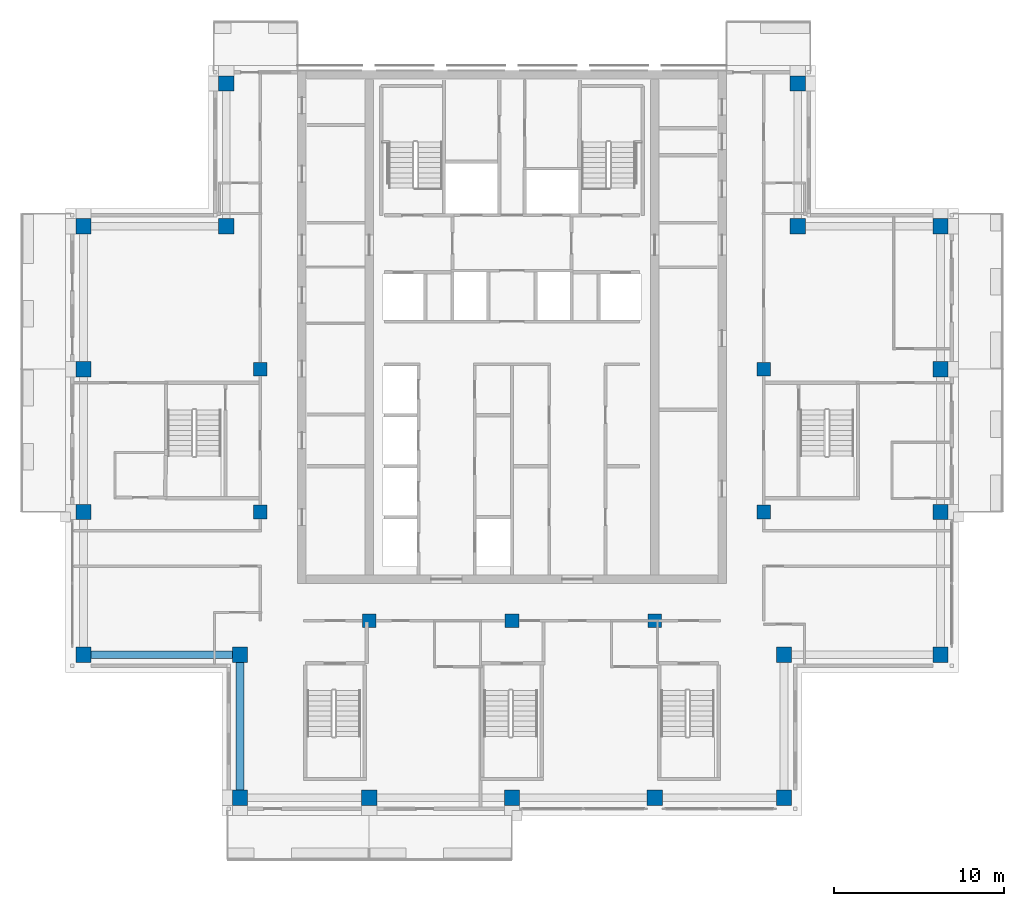
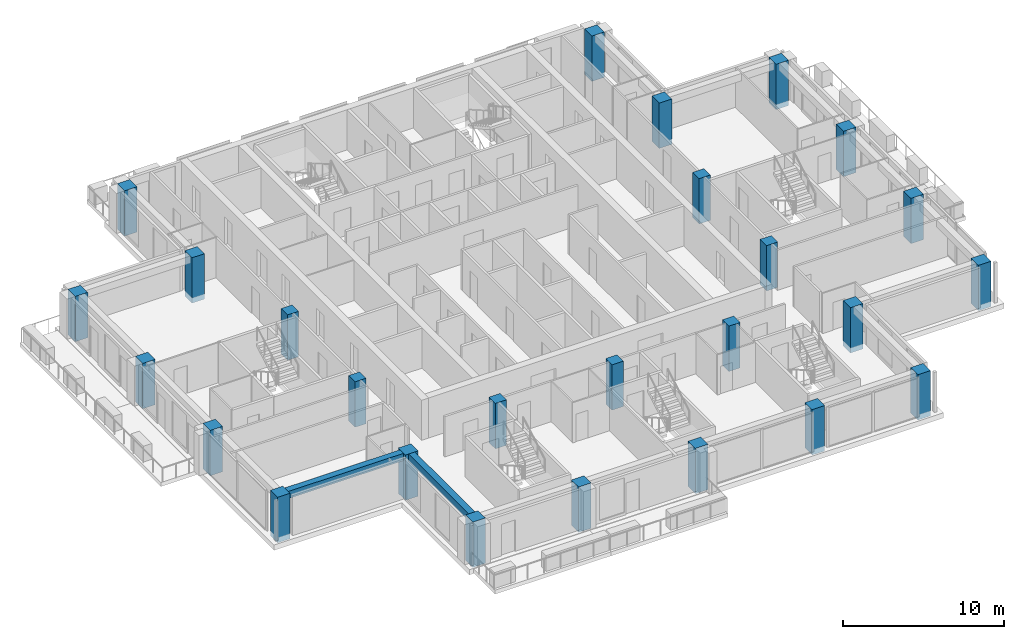
# One storey, part 1 of 16: 26 columns, 2 beams.
"""IFC4 building model written with IfcOpenShell, lengths in metres."""

import ifcopenshell
import ifcopenshell.guid

model = None  # the IFC model being written
_history = None  # IfcOwnerHistory: only IFC2X3 demands one
_inside = {}  # id of a spatial element -> (the spatial element, [elements in it])
_under = {}  # id of a project, library or spatial element -> (it, [spatial elements below it])
_declared = {}  # id of a project -> (the project, [libraries it declares])
_typed = {}  # id of a type object -> (the type object, [elements of that type])
_made_of = {}  # id of a material, layer set ... -> (it, [elements and type objects made of it])


def new_model(schema):
    """Start an empty IFC model of exactly this schema.

    Asked for "IFC4X3", IfcOpenShell would pick the latest addendum, in which some entities
    have other attributes; the version numbers below select the first issue.
    IFC2X3 requires an IfcOwnerHistory on every rooted entity: one is made here for all.
    """
    global model, _history
    if schema == "IFC4X3":
        model = ifcopenshell.file(schema_version=(4, 3, 0, 0))
    else:
        model = ifcopenshell.file(schema=schema)
    _inside.clear()
    _under.clear()
    _declared.clear()
    _typed.clear()
    _made_of.clear()
    _history = None
    if model.schema == "IFC2X3":
        org = make("IfcOrganization", Name="unknown")
        user = make(
            "IfcPersonAndOrganization",
            ThePerson=make("IfcPerson", FamilyName="unknown"),
            TheOrganization=org,
        )
        app = make(
            "IfcApplication",
            ApplicationDeveloper=org,
            Version="unknown",
            ApplicationFullName="unknown",
            ApplicationIdentifier="unknown",
        )
        _history = make(
            "IfcOwnerHistory",
            OwningUser=user,
            OwningApplication=app,
            ChangeAction="ADDED",
            CreationDate=0,
        )
    return model


def make(cls, **values):
    """One entity of the class cls with the attributes given. An attribute that is None is left unset."""
    return model.create_entity(
        cls, **{name: value for name, value in values.items() if value is not None}
    )


def rooted(cls, **values):
    """An entity with a GlobalId (a new one), such as an element, a storey or a relation."""
    return make(cls, GlobalId=ifcopenshell.guid.new(), OwnerHistory=_history, **values)


def si_unit(unit_type, name, prefix=None):
    """IfcSIUnit, for example si_unit("LENGTHUNIT", "METRE", prefix="MILLI")."""
    return make("IfcSIUnit", UnitType=unit_type, Prefix=prefix, Name=name)


def assignment(units):
    """IfcUnitAssignment: the units of a project."""
    return None if units is None else make("IfcUnitAssignment", Units=units)


def point(xyz):
    """IfcCartesianPoint."""
    return None if xyz is None else make("IfcCartesianPoint", Coordinates=xyz)


def direction(xyz):
    """IfcDirection."""
    return None if xyz is None else make("IfcDirection", DirectionRatios=xyz)


def frame(location, z_axis=None, x_axis=None):
    """IfcAxis2Placement3D, a coordinate frame: its origin and axes. An axis left out is left unset."""
    return make(
        "IfcAxis2Placement3D",
        Location=point(location),
        Axis=direction(z_axis),
        RefDirection=direction(x_axis),
    )


def frame_2d(location, x_axis=None):
    """IfcAxis2Placement2D, a coordinate frame in the plane: its origin and x axis."""
    return make(
        "IfcAxis2Placement2D", Location=point(location), RefDirection=direction(x_axis)
    )


def origin():
    """The frame at (0, 0, 0) with its axes left unset."""
    return frame((0.0, 0.0, 0.0))


def origin_2d():
    """The frame at (0, 0) in the plane with its x axis left unset."""
    return frame_2d((0.0, 0.0))


def place(relative_to, where):
    """IfcLocalPlacement: puts the frame where relative to a parent placement (None: the world)."""
    return make(
        "IfcLocalPlacement", PlacementRelTo=relative_to, RelativePlacement=where
    )


def context(
    kind, dimensions, precision=None, world=None, true_north=None, identifier=None
):
    """IfcGeometricRepresentationContext, for example the 3D "Model" context."""
    return make(
        "IfcGeometricRepresentationContext",
        ContextIdentifier=identifier,
        ContextType=kind,
        CoordinateSpaceDimension=dimensions,
        Precision=precision,
        WorldCoordinateSystem=world,
        TrueNorth=true_north,
    )


def subcontext(parent, identifier, kind, view, scale=None):
    """IfcGeometricRepresentationSubContext, for example "Body" below "Model"."""
    return make(
        "IfcGeometricRepresentationSubContext",
        ContextIdentifier=identifier,
        ContextType=kind,
        ParentContext=parent,
        TargetScale=scale,
        TargetView=view,
    )


def project(units=None, contexts=None):
    """IfcProject with its units and contexts."""
    return rooted(
        "IfcProject",
        Name="project",
        RepresentationContexts=contexts,
        UnitsInContext=assignment(units),
    )


def spatial(cls, under=None, at=None, **own):
    """A site, building, storey or space (cls), placed at a placement, below another one or the project."""
    s = rooted(cls, ObjectPlacement=at, **own)
    if under is not None:
        _under.setdefault(under.id(), (under, []))[1].append(s)
    return s


def profile(cls, at=None, kind="AREA", **sizes):
    """A parametric profile (cls). Its sizes go by their IFC names, for example OverallWidth=200.0."""
    return make(cls, ProfileType=kind, Position=at, **sizes)


def rectangle(**sizes):
    """IfcRectangleProfileDef."""
    return profile("IfcRectangleProfileDef", **sizes)


def extrude(swept, where, along, depth):
    """IfcExtrudedAreaSolid: the profile swept, set in the frame where, extruded along a direction by depth."""
    return make(
        "IfcExtrudedAreaSolid",
        SweptArea=swept,
        Position=where,
        ExtrudedDirection=direction(along),
        Depth=depth,
    )


def shape(context_of_items, identifier, shape_type, items):
    """IfcShapeRepresentation: the items that make up one representation, for example the "Body"."""
    return make(
        "IfcShapeRepresentation",
        ContextOfItems=context_of_items,
        RepresentationIdentifier=identifier,
        RepresentationType=shape_type,
        Items=items,
    )


def material(Name=None, Category=None):
    """IfcMaterial."""
    return make("IfcMaterial", Name=Name, Category=Category)


def material_profile(
    of_material, cross_section, Name=None, Category=None, Priority=None
):
    """IfcMaterialProfile: a cross section and its material."""
    return make(
        "IfcMaterialProfile",
        Name=Name,
        Material=of_material,
        Profile=cross_section,
        Priority=Priority,
        Category=Category,
    )


def profile_set(profiles, Name=None, composite=None):
    """IfcMaterialProfileSet."""
    return make(
        "IfcMaterialProfileSet",
        Name=Name,
        MaterialProfiles=profiles,
        CompositeProfile=composite,
    )


def made_of(thing, what):
    """Note that an element or type object is made of a material, layer set ...; save() writes the relation."""
    if what is not None:
        _made_of.setdefault(what.id(), (what, []))[1].append(thing)
    return thing


def type_object(cls, material=None, **own):
    """A type object (cls), such as IfcWallType, which elements share."""
    return made_of(rooted(cls, **own), material)


def element(
    cls,
    number,
    at=None,
    inside=None,
    cuts=None,
    type_object=None,
    material=None,
    context=None,
    identifier="Body",
    shape_type=None,
    held_by="IfcProductDefinitionShape",
    body=None,
    shapes=None,
    **own,
):
    """One element of the class cls, such as IfcWall. Its Tag is "e" and its number.

    at: its placement. inside: the storey or other place that contains it. cuts: it is an
    opening in that element (IfcRelVoidsElement). A single representation is given by context,
    identifier, shape_type and body (its items); several are given by shapes. held_by: the class
    of the entity that holds the representations. save() writes the other relations.
    """
    e = rooted(cls, Tag="e%d" % number, ObjectPlacement=at, **own)
    if body is not None:
        shapes = [shape(context, identifier, shape_type, body)]
    if shapes is not None:
        e.Representation = make(held_by, Representations=shapes)
    if inside is not None:
        _inside.setdefault(inside.id(), (inside, []))[1].append(e)
    if cuts is not None:
        rooted(
            "IfcRelVoidsElement", RelatingBuildingElement=cuts, RelatedOpeningElement=e
        )
    if type_object is not None:
        _typed.setdefault(type_object.id(), (type_object, []))[1].append(e)
    return made_of(e, material)


def aggregate(whole, parts):
    """IfcRelAggregates: a whole, such as a stair, and the parts it consists of."""
    return rooted("IfcRelAggregates", RelatingObject=whole, RelatedObjects=parts)


def save(model, path):
    """Write the relations noted so far, then the file.

    IfcRelAggregates (storeys below a building ...), IfcRelContainedInSpatialStructure (elements
    in a storey), IfcRelDefinesByType, IfcRelAssociatesMaterial and IfcRelDeclares: one each for
    every whole, place, type object, material and project.
    """
    for whole, parts in _under.values():
        aggregate(whole, parts)
    for where, things in _inside.values():
        rooted(
            "IfcRelContainedInSpatialStructure",
            RelatedElements=things,
            RelatingStructure=where,
        )
    for kind, things in _typed.values():
        rooted("IfcRelDefinesByType", RelatedObjects=things, RelatingType=kind)
    for what, things in _made_of.values():
        rooted("IfcRelAssociatesMaterial", RelatedObjects=things, RelatingMaterial=what)
    for by, libraries in _declared.values():
        rooted("IfcRelDeclares", RelatingContext=by, RelatedDefinitions=libraries)
    model.write(path)


model = new_model("IFC4")

# Units and contexts
model_context = context("Model", 3, precision=1e-05, world=origin(), true_north=direction((0.0, 1.0)))
body_context = subcontext(model_context, "Body", "Model", "MODEL_VIEW")
ifc_project = project(units=[si_unit("LENGTHUNIT", "METRE"), si_unit("AREAUNIT", "SQUARE_METRE"), si_unit("VOLUMEUNIT", "CUBIC_METRE"), si_unit("PLANEANGLEUNIT", "RADIAN"), si_unit("MASSUNIT", "GRAM", prefix="KILO")], contexts=[model_context])

# Site, building, storey
site_placement = place(None, origin())
site = spatial("IfcSite", under=ifc_project, at=site_placement, CompositionType="ELEMENT")
building_placement = place(site_placement, origin())
building = spatial("IfcBuilding", under=site, at=building_placement, Name="Vermilion Ogive Tower", CompositionType="ELEMENT")
storey_placement = place(building_placement, frame((0.0, 0.0, 251.050048828125)))
storey = spatial("IfcBuildingStorey", under=building, at=storey_placement, Name="L66", CompositionType="ELEMENT", Elevation=251.050048828125)

# Columns
ifc_material_1 = material(Name="Concrete B60", Category="concrete")
ifc_material_profile_1 = material_profile(ifc_material_1, rectangle(XDim=0.89990234375, YDim=0.89990234375, at=origin_2d()), Name="900 x 900")
ifc_profile_set_1 = profile_set([ifc_material_profile_1], Name="Concrete B60")
column_type_1 = type_object("IfcColumnType", Name="Perimeter column 900 x 900 B60", PredefinedType="COLUMN", material=ifc_profile_set_1)
for number, where, z_axis, x_axis, name in (
    (1, (-16.0, -21.0, -0.400146484375), (0.0, 0.0, 1.0), (1.0, 0.0, 0.0), "COL-L66-P-0160-210"),
    (2, (-8.39990234375, -21.0, -0.400146484375), (0.0, 0.0, 1.0), (1.0, 0.0, 0.0), "COL-L66-P-0084-210"),
    (3, (0.0, -21.0, -0.400146484375), (0.0, 0.0, 1.0), (1.0, 0.0, 0.0), "COL-L66-P+0000-210"),
    (4, (8.39990234375, -21.0, -0.400146484375), (0.0, 0.0, 1.0), (1.0, 0.0, 0.0), "COL-L66-P+0084-210"),
    (5, (16.0, -21.0, -0.400146484375), (0.0, 0.0, 1.0), (1.0, 0.0, 0.0), "COL-L66-P+0160-210"),
    (6, (-25.199951171875, -12.60009765625, -0.400146484375), (0.0, 0.0, 1.0), (1.0, 0.0, 0.0), "COL-L66-P-0252-126"),
    (7, (-16.0, -12.60009765625, -0.400146484375), (0.0, 0.0, 1.0), (1.0, 0.0, 0.0), "COL-L66-P-0160-126"),
    (8, (16.0, -12.60009765625, -0.400146484375), (0.0, 0.0, 1.0), (1.0, 0.0, 0.0), "COL-L66-P+0160-126"),
    (9, (25.199951171875, -12.60009765625, -0.400146484375), (0.0, 0.0, 1.0), (1.0, 0.0, 0.0), "COL-L66-P+0252-126"),
    (10, (-25.199951171875, -4.199951171875, -0.400146484375), (0.0, 0.0, 1.0), (1.0, 0.0, 0.0), "COL-L66-P-0252-042"),
    (11, (25.199951171875, -4.199951171875, -0.400146484375), (0.0, 0.0, 1.0), (1.0, 0.0, 0.0), "COL-L66-P+0252-042"),
    (12, (-25.199951171875, 4.199951171875, -0.400146484375), (0.0, 0.0, 1.0), (1.0, 0.0, 0.0), "COL-L66-P-0252+042"),
    (13, (25.199951171875, 4.199951171875, -0.400146484375), (0.0, 0.0, 1.0), (1.0, 0.0, 0.0), "COL-L66-P+0252+042"),
    (14, (-25.199951171875, 12.60009765625, -0.400146484375), (0.0, 0.0, 1.0), (1.0, 0.0, 0.0), "COL-L66-P-0252+126"),
    (15, (-16.800048828125, 12.60009765625, -0.400146484375), (0.0, 0.0, 1.0), (1.0, 0.0, 0.0), "COL-L66-P-0168+126"),
    (16, (16.800048828125, 12.60009765625, -0.400146484375), (0.0, 0.0, 1.0), (1.0, 0.0, 0.0), "COL-L66-P+0168+126"),
    (17, (25.199951171875, 12.60009765625, -0.400146484375), (0.0, 0.0, 1.0), (1.0, 0.0, 0.0), "COL-L66-P+0252+126"),
    (18, (-16.800048828125, 21.0, -0.400146484375), (0.0, 0.0, 1.0), (1.0, 0.0, 0.0), "COL-L66-P-0168+210"),
    (19, (16.800048828125, 21.0, -0.400146484375), (0.0, 0.0, 1.0), (1.0, 0.0, 0.0), "COL-L66-P+0168+210"),
):
    element("IfcColumn", number, at=place(storey_placement, frame(where, z_axis=z_axis, x_axis=x_axis)), inside=storey, type_object=column_type_1, Name=name, PredefinedType="COLUMN", context=body_context, shape_type="SweptSolid", body=[
        extrude(rectangle(XDim=0.89990234375, YDim=0.89990234375, at=origin_2d()), origin(), (0.0, 0.0, 1.0), 3.4501953125),
    ])
ifc_material_2 = material(Name="Concrete B60", Category="concrete")
ifc_material_profile_2 = material_profile(ifc_material_2, rectangle(XDim=0.800048828125, YDim=0.800048828125, at=origin_2d()), Name="800 x 800")
ifc_profile_set_2 = profile_set([ifc_material_profile_2], Name="Concrete B60")
column_type_2 = type_object("IfcColumnType", Name="Ring column 800 x 800 B60", PredefinedType="COLUMN", material=ifc_profile_set_2)
for number, where, z_axis, x_axis, name in (
    (20, (-8.39990234375, -10.60009765625, -0.400146484375), (0.0, 0.0, 1.0), (1.0, 0.0, 0.0), "COL-L66-R-0084-106"),
    (21, (0.0, -10.60009765625, -0.400146484375), (0.0, 0.0, 1.0), (1.0, 0.0, 0.0), "COL-L66-R+0000-106"),
    (22, (8.39990234375, -10.60009765625, -0.400146484375), (0.0, 0.0, 1.0), (1.0, 0.0, 0.0), "COL-L66-R+0084-106"),
    (23, (-14.800048828125, -4.199951171875, -0.400146484375), (0.0, 0.0, 1.0), (1.0, 0.0, 0.0), "COL-L66-R-0148-042"),
    (24, (14.800048828125, -4.199951171875, -0.400146484375), (0.0, 0.0, 1.0), (1.0, 0.0, 0.0), "COL-L66-R+0148-042"),
    (25, (-14.800048828125, 4.199951171875, -0.400146484375), (0.0, 0.0, 1.0), (1.0, 0.0, 0.0), "COL-L66-R-0148+042"),
    (26, (14.800048828125, 4.199951171875, -0.400146484375), (0.0, 0.0, 1.0), (1.0, 0.0, 0.0), "COL-L66-R+0148+042"),
):
    element("IfcColumn", number, at=place(storey_placement, frame(where, z_axis=z_axis, x_axis=x_axis)), inside=storey, type_object=column_type_2, Name=name, PredefinedType="COLUMN", context=body_context, shape_type="SweptSolid", body=[
        extrude(rectangle(XDim=0.800048828125, YDim=0.800048828125, at=origin_2d()), origin(), (0.0, 0.0, 1.0), 3.4501953125),
    ])

# Beams
ifc_material_3 = material(Name="Concrete B45", Category="concrete")
ifc_material_profile_3 = material_profile(ifc_material_3, rectangle(XDim=0.449951171875, YDim=0.550048828125, at=origin_2d()), Name="450 x 550")
ifc_profile_set_3 = profile_set([ifc_material_profile_3], Name="Concrete B45")
beam_type = type_object("IfcBeamType", Name="Edge beam 450 x 550 B45", PredefinedType="BEAM", material=ifc_profile_set_3)
beam_1_placement = place(storey_placement, frame((-24.75, -12.60009765625, 2.77490234375), z_axis=(1.0, 0.0, 0.0), x_axis=(0.0, 1.0, 0.0)))
element("IfcBeam", 27, at=beam_1_placement, inside=storey, type_object=beam_type, Name="L66-EB-17", PredefinedType="BEAM", context=body_context, shape_type="SweptSolid", body=[
    extrude(rectangle(XDim=0.449951171875, YDim=0.550048828125, at=origin_2d()), origin(), (0.0, 0.0, 1.0), 8.300048828125),
])
beam_2_placement = place(storey_placement, frame((-16.0, -13.050048828125, 2.77490234375), z_axis=(0.0, -1.0, 0.0), x_axis=(1.0, 0.0, 0.0)))
element("IfcBeam", 28, at=beam_2_placement, inside=storey, type_object=beam_type, Name="L66-EB-18", PredefinedType="BEAM", context=body_context, shape_type="SweptSolid", body=[
    extrude(rectangle(XDim=0.449951171875, YDim=0.550048828125, at=origin_2d()), origin(), (0.0, 0.0, 1.0), 7.5),
])

save(model, "model.ifc")
